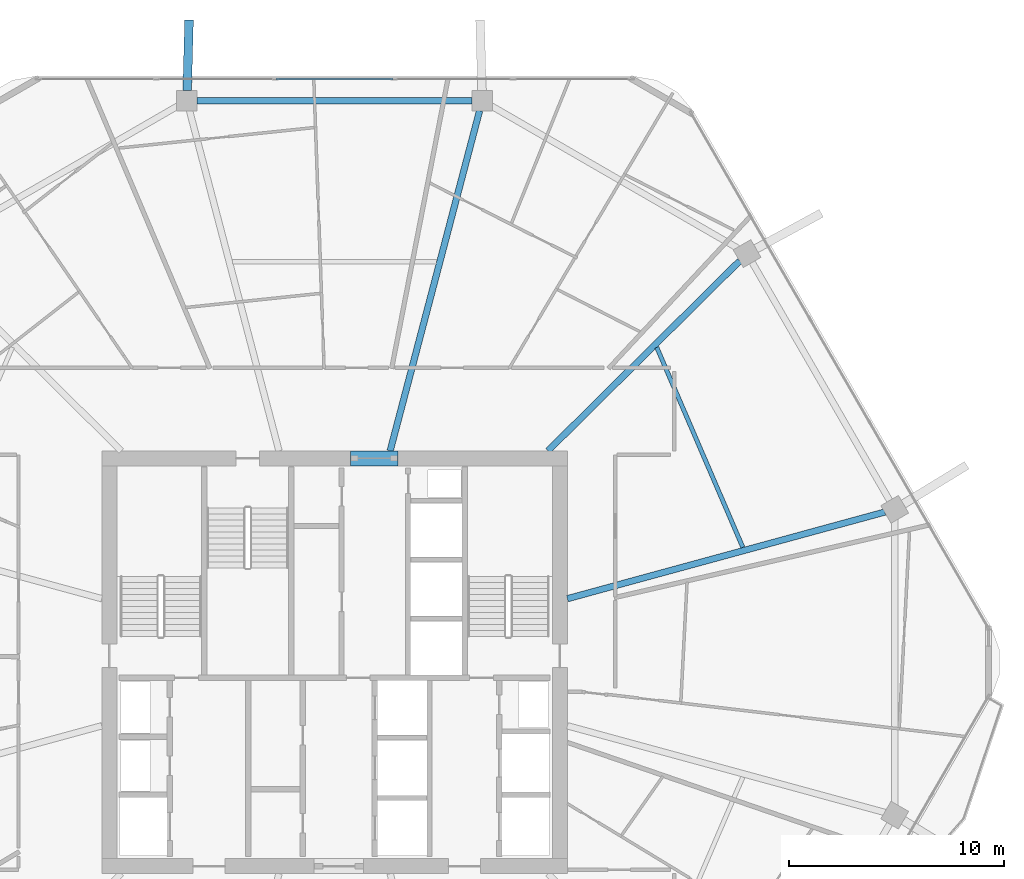
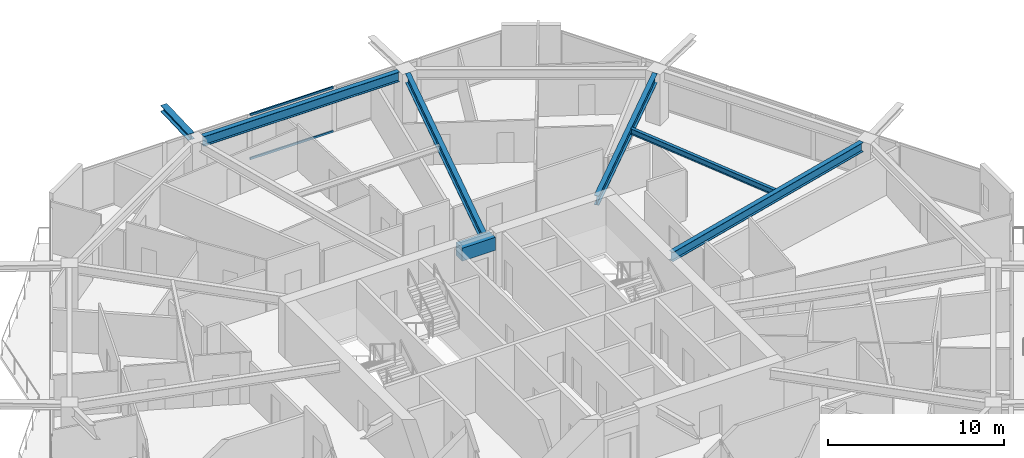
# One storey, part 13 of 26: 7 beams, 2 members, 1 element without a shape of its own.
"""IFC4 building model written with IfcOpenShell, lengths in metres."""

from ifc_helpers import new_model, si_unit, direction, frame, origin, origin_2d, place, context, subcontext, project, spatial, rectangle, hollow_rectangle, i_section, extrude, material, material_profile, profile_set, type_object, element, aggregate, save


model = new_model("IFC4")

# Units and contexts
model_context = context("Model", 3, precision=1e-05, world=origin(), true_north=direction((0.0, 1.0)))
body_context = subcontext(model_context, "Body", "Model", "MODEL_VIEW")
ifc_project = project(units=[si_unit("LENGTHUNIT", "METRE"), si_unit("AREAUNIT", "SQUARE_METRE"), si_unit("VOLUMEUNIT", "CUBIC_METRE"), si_unit("PLANEANGLEUNIT", "RADIAN"), si_unit("MASSUNIT", "GRAM", prefix="KILO")], contexts=[model_context])

# Site, building, storey
site_placement = place(None, origin())
site = spatial("IfcSite", under=ifc_project, at=site_placement, CompositionType="ELEMENT")
building_placement = place(site_placement, origin())
building = spatial("IfcBuilding", under=site, at=building_placement, Name="Zuhravey Tower", CompositionType="ELEMENT")
storey_placement = place(building_placement, frame((0.0, 0.0, 211.199951171875)))
storey = spatial("IfcBuildingStorey", under=building, at=storey_placement, Name="L53", CompositionType="ELEMENT", Elevation=211.199951171875)

# Beam
ifc_material_1 = material(Name="Concrete C60/75", Category="concrete")
ifc_material_profile_1 = material_profile(ifc_material_1, rectangle(XDim=0.699951171875, YDim=0.89990234375, at=origin_2d()), Name="RC-700x900")
ifc_profile_set_1 = profile_set([ifc_material_profile_1], Name="Concrete C60/75")
beam_type_1 = type_object("IfcBeamType", Name="Core Coupling Beam RC700x900", PredefinedType="LINTEL", material=ifc_profile_set_1)
beam_1_placement = place(storey_placement, frame((36.751953125, 41.5, 3.10009765625), z_axis=(1.0, 0.0, 0.0), x_axis=(0.0, 1.0, 0.0)))
element("IfcBeam", 1, at=beam_1_placement, inside=storey, type_object=beam_type_1, Name="L53 CB1 BM-L53-CB-N", PredefinedType="LINTEL", context=body_context, shape_type="SweptSolid", body=[
    extrude(rectangle(XDim=0.699951171875, YDim=0.89990234375, at=origin_2d()), origin(), (0.0, 0.0, 1.0), 2.196044921875),
])

# Curtain wall, members
ifc_material_2 = material(Name="Thermally broken anodised aluminium", Category="aluminium")
curtain_wall_type = type_object("IfcCurtainWallType", Name="Zone 1-2 Residential Curtain Wall CW3", PredefinedType="NOTDEFINED", material=ifc_material_2)
curtain_wall_placement = place(storey_placement, origin())
curtain_wall = element("IfcCurtainWall", 2, at=curtain_wall_placement, inside=storey, type_object=curtain_wall_type, Name="L53 CW3 CW-L53-F2-1", PredefinedType="NOTDEFINED")
ifc_material_3 = material(Name="Anodised aluminium", Category="aluminium")
ifc_material_profile_2 = material_profile(ifc_material_3, hollow_rectangle(XDim=0.090087890625, YDim=0.14990234375, WallThickness=0.0048828125, at=origin_2d()), Name="ALU-RHS-90x150x5")
ifc_profile_set_2 = profile_set([ifc_material_profile_2], Name="Anodised aluminium")
member_type = type_object("IfcMemberType", Name="Curtain-Wall Transom 90x150", PredefinedType="USERDEFINED", material=ifc_profile_set_2)
member_1_placement = place(storey_placement, frame((33.272705078125, 59.18310546875, 0.045166015625), z_axis=(1.0, 0.0, 0.0), x_axis=(0.0, 1.0, 0.0)))
member_1 = element("IfcMember", 3, at=member_1_placement, type_object=member_type, Name="CW3 transom 3.1", ObjectType="TRANSOM", PredefinedType="USERDEFINED", context=body_context, shape_type="SweptSolid", body=[
    extrude(hollow_rectangle(XDim=0.090087890625, YDim=0.14990234375, WallThickness=0.0048828125, at=origin_2d()), origin(), (0.0, 0.0, 1.0), 5.45458984375),
])
member_2_placement = place(storey_placement, frame((33.272705078125, 59.18310546875, 3.0771484375), z_axis=(1.0, 0.0, 0.0), x_axis=(0.0, 1.0, 0.0)))
member_2 = element("IfcMember", 4, at=member_2_placement, type_object=member_type, Name="CW3 transom 3.2", ObjectType="TRANSOM", PredefinedType="USERDEFINED", context=body_context, shape_type="SweptSolid", body=[
    extrude(hollow_rectangle(XDim=0.090087890625, YDim=0.14990234375, WallThickness=0.0048828125, at=origin_2d()), origin(), (0.0, 0.0, 1.0), 5.45458984375),
])
aggregate(curtain_wall, [member_1, member_2])

# Beams
ifc_material_4 = material(Name="Steel SM460", Category="steel")
ifc_material_profile_3 = material_profile(ifc_material_4, i_section(OverallWidth=0.406982421875, OverallDepth=0.427978515625, WebThickness=0.02001953125, FlangeThickness=0.034912109375, at=origin_2d()), Name="H-428x407x20x35")
ifc_profile_set_3 = profile_set([ifc_material_profile_3], Name="Steel SM460")
beam_type_2 = type_object("IfcBeamType", Name="Exoskeleton Node Tie Beam H428x407", PredefinedType="BEAM", material=ifc_profile_set_3)
beam_2_placement = place(storey_placement, frame((29.130859375, 58.652099609375, 3.3359375), z_axis=(0.026743542408, 0.999642327505, 0.0), x_axis=(-0.999642327505, 0.026743542408, 0.0)))
element("IfcBeam", 5, at=beam_2_placement, inside=storey, type_object=beam_type_2, Name="L53 Exoskeleton Node Tie NT1-04", PredefinedType="BEAM", context=body_context, shape_type="SweptSolid", body=[
    extrude(i_section(OverallWidth=0.406982421875, OverallDepth=0.427978515625, WebThickness=0.02001953125, FlangeThickness=0.034912109375, at=origin_2d()), origin(), (0.0, 0.0, 1.0), 3.27734375),
])
ifc_material_5 = material(Name="Steel SM355", Category="steel")
ifc_material_profile_4 = material_profile(ifc_material_5, i_section(OverallWidth=0.300048828125, OverallDepth=0.679931640625, WebThickness=0.012939453125, FlangeThickness=0.02197265625, at=origin_2d()), Name="H-680x300x13x22")
ifc_profile_set_4 = profile_set([ifc_material_profile_4], Name="Steel SM355")
beam_type_3 = type_object("IfcBeamType", Name="Perimeter Ring Beam H680x300", PredefinedType="BEAM", material=ifc_profile_set_4)
beam_3_placement = place(storey_placement, frame((42.404052734375, 58.173095703125, 3.2099609375), z_axis=(-1.0, 0.0, 0.0), x_axis=(0.0, -1.0, 0.0)))
element("IfcBeam", 6, at=beam_3_placement, inside=storey, type_object=beam_type_3, Name="L53 PB2 BM-L53-PB-03", PredefinedType="BEAM", context=body_context, shape_type="SweptSolid", body=[
    extrude(i_section(OverallWidth=0.300048828125, OverallDepth=0.679931640625, WebThickness=0.012939453125, FlangeThickness=0.02197265625, at=origin_2d()), origin(), (0.0, 0.0, 1.0), 12.80810546875),
])
ifc_material_profile_5 = material_profile(ifc_material_5, i_section(OverallWidth=0.300048828125, OverallDepth=0.64990234375, WebThickness=0.012939453125, FlangeThickness=0.02197265625, at=origin_2d()), Name="H-650x300x13x22")
ifc_profile_set_5 = profile_set([ifc_material_profile_5], Name="Steel SM355")
beam_type_4 = type_object("IfcBeamType", Name="Radial Primary Girder H650x300", PredefinedType="BEAM", material=ifc_profile_set_5)
beam_4_placement = place(storey_placement, frame((46.85302734375, 34.96240234375, 3.22509765625), z_axis=(0.964701703464, 0.263345065139, 0.0), x_axis=(-0.263345065139, 0.964701703464, 0.0)))
element("IfcBeam", 7, at=beam_4_placement, inside=storey, type_object=beam_type_4, Name="L53 RG2 BM-L53-RAD-01", PredefinedType="BEAM", context=body_context, shape_type="SweptSolid", body=[
    extrude(i_section(OverallWidth=0.300048828125, OverallDepth=0.64990234375, WebThickness=0.012939453125, FlangeThickness=0.02197265625, at=origin_2d()), origin(), (0.0, 0.0, 1.0), 15.334716796875),
])
beam_5_placement = place(storey_placement, frame((45.945556640625, 41.85302734375, 3.22509765625), z_axis=(0.710406645816, 0.703791444663, 0.0), x_axis=(-0.703791444663, 0.710406645816, 0.0)))
element("IfcBeam", 8, at=beam_5_placement, inside=storey, type_object=beam_type_4, Name="L53 RG2 BM-L53-RAD-02", PredefinedType="BEAM", context=body_context, shape_type="SweptSolid", body=[
    extrude(i_section(OverallWidth=0.300048828125, OverallDepth=0.64990234375, WebThickness=0.012939453125, FlangeThickness=0.02197265625, at=origin_2d()), origin(), (0.0, 0.0, 1.0), 12.5849609375),
])
beam_6_placement = place(storey_placement, frame((38.5908203125, 41.85302734375, 3.22509765625), z_axis=(0.254299806285, 0.967125435775, 0.0), x_axis=(-0.967125435775, 0.254299806285, 0.0)))
element("IfcBeam", 9, at=beam_6_placement, inside=storey, type_object=beam_type_4, Name="L53 RG2 BM-L53-RAD-03", PredefinedType="BEAM", context=body_context, shape_type="SweptSolid", body=[
    extrude(i_section(OverallWidth=0.300048828125, OverallDepth=0.64990234375, WebThickness=0.012939453125, FlangeThickness=0.02197265625, at=origin_2d()), origin(), (0.0, 0.0, 1.0), 16.396728515625),
])
ifc_material_profile_6 = material_profile(ifc_material_5, i_section(OverallWidth=0.199951171875, OverallDepth=0.39990234375, WebThickness=0.008056640625, FlangeThickness=0.012939453125, at=origin_2d()), Name="H-400x200x8x13")
ifc_profile_set_6 = profile_set([ifc_material_profile_6], Name="Steel SM355")
beam_type_5 = type_object("IfcBeamType", Name="Secondary Floor Joist H400x200", PredefinedType="JOIST", material=ifc_profile_set_6)
beam_7_placement = place(storey_placement, frame((55.029541015625, 37.3525390625, 3.35009765625), z_axis=(-0.395265853487, 0.918566766799, 0.0), x_axis=(-0.918566766799, -0.395265853487, 0.0)))
element("IfcBeam", 10, at=beam_7_placement, inside=storey, type_object=beam_type_5, Name="L53 SJ2 BM-L53-SJ-01-1", PredefinedType="JOIST", context=body_context, shape_type="SweptSolid", body=[
    extrude(i_section(OverallWidth=0.199951171875, OverallDepth=0.39990234375, WebThickness=0.008056640625, FlangeThickness=0.012939453125, at=origin_2d()), origin(), (0.0, 0.0, 1.0), 10.150146484375),
])

save(model, "model.ifc")
